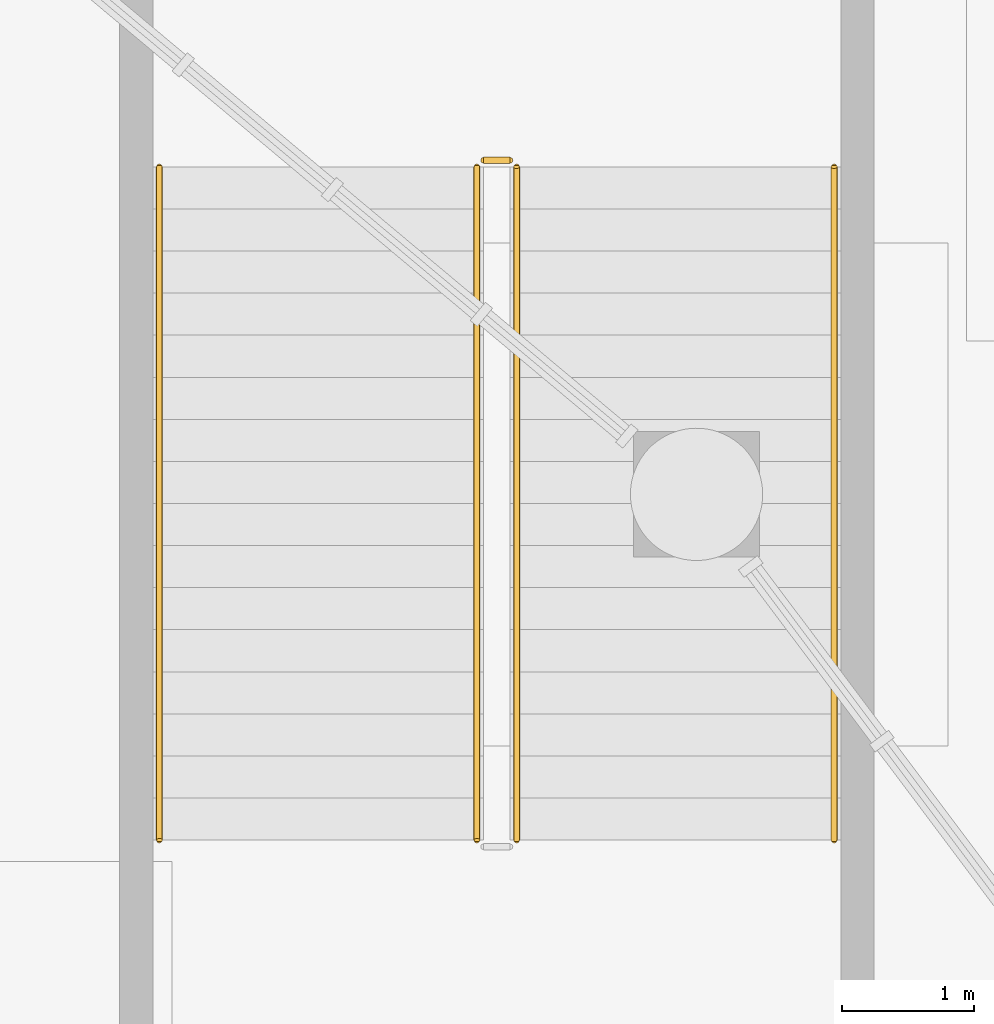
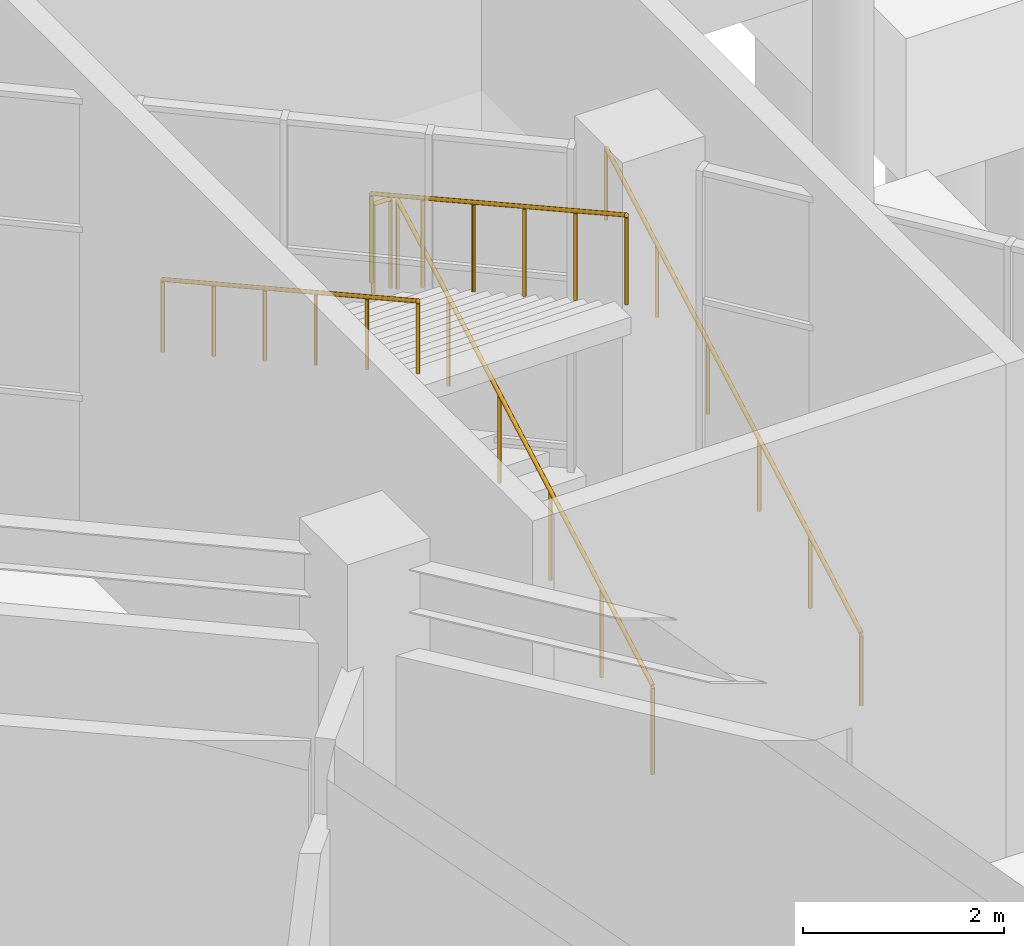
# One storey, part 114 of 121: 5 railings.
"""IFC4 building model written with IfcOpenShell, lengths in metres."""

from ifc_helpers import new_model, si_unit, direction, frame, origin, origin_2d, place, context, subcontext, project, spatial, circle, extrude, material, type_object, element, save


model = new_model("IFC4")

# Units and contexts
model_context = context("Model", 3, precision=1e-05, world=origin(), true_north=direction((0.0, 1.0)))
body_context = subcontext(model_context, "Body", "Model", "MODEL_VIEW")
ifc_project = project(units=[si_unit("LENGTHUNIT", "METRE"), si_unit("AREAUNIT", "SQUARE_METRE"), si_unit("VOLUMEUNIT", "CUBIC_METRE"), si_unit("PLANEANGLEUNIT", "RADIAN"), si_unit("MASSUNIT", "GRAM", prefix="KILO")], contexts=[model_context])

# Site, building, storey
site_placement = place(None, origin())
site = spatial("IfcSite", under=ifc_project, at=site_placement, CompositionType="ELEMENT")
building_placement = place(site_placement, origin())
building = spatial("IfcBuilding", under=site, at=building_placement, Name="Cuetzalor Civic Arena", CompositionType="ELEMENT")
storey_placement = place(building_placement, origin())
storey = spatial("IfcBuildingStorey", under=building, at=storey_placement, Name="L00", CompositionType="ELEMENT", Elevation=0.0)

# Railings
ifc_material_1 = material(Name="Reseda-green architectural Steel S355 balustrade", Category="steel")
railing_type_1 = type_object("IfcRailingType", Name="InteriorVoidBalustrade_1100", PredefinedType="BALUSTRADE", material=ifc_material_1)
railing_1_placement = place(storey_placement, frame((36.949951171875, 22.949951171875, 0.176513671875)))
element("IfcRailing", 1, at=railing_1_placement, inside=storey, type_object=railing_type_1, Name="L00 ST-02 stair guard 1", PredefinedType="BALUSTRADE", context=body_context, shape_type="SweptSolid", body=[
    extrude(circle(Radius=0.02392578125, at=origin_2d()), frame((0.0, 0.0, 1.0810546875), z_axis=(0.0, 0.874394655587, 0.485215401941), x_axis=(-1.0, 0.0, 0.0)), (0.0, 0.0, 1.0), 5.819091796875),
    extrude(circle(Radius=0.02099609375, at=origin_2d()), origin(), (0.0, 0.0, 1.0), 1.056884765625),
    extrude(circle(Radius=0.02099609375, at=origin_2d()), frame((0.0, 1.017578125, 0.564697265625)), (0.0, 0.0, 1.0), 1.056884765625),
    extrude(circle(Radius=0.02099609375, at=origin_2d()), frame((0.0, 2.03515625, 1.12939453125)), (0.0, 0.0, 1.0), 1.056884765625),
    extrude(circle(Radius=0.02099609375, at=origin_2d()), frame((0.0, 3.052978515625, 1.694091796875)), (0.0, 0.0, 1.0), 1.056884765625),
    extrude(circle(Radius=0.02099609375, at=origin_2d()), frame((0.0, 4.070556640625, 2.2587890625)), (0.0, 0.0, 1.0), 1.056884765625),
    extrude(circle(Radius=0.02099609375, at=origin_2d()), frame((0.0, 5.088134765625, 2.823486328125)), (0.0, 0.0, 1.0), 1.056884765625),
])
railing_2_placement = place(storey_placement, frame((36.89990234375, 28.087890625, 3.0)))
element("IfcRailing", 2, at=railing_2_placement, inside=storey, type_object=railing_type_1, Name="L00 ST-02 stair guard 2", PredefinedType="BALUSTRADE", context=body_context, shape_type="SweptSolid", body=[
    extrude(circle(Radius=0.02392578125, at=origin_2d()), frame((0.0, 0.0, 1.0810546875), z_axis=(-1.0, 0.0, 0.0), x_axis=(0.0, -1.0, 0.0)), (0.0, 0.0, 1.0), 0.199951171875),
    extrude(circle(Radius=0.02099609375, at=origin_2d()), origin(), (0.0, 0.0, 1.0), 1.056884765625),
    extrude(circle(Radius=0.02099609375, at=origin_2d()), frame((-0.199951171875, 0.0, 0.0)), (0.0, 0.0, 1.0), 1.056884765625),
])
railing_3_placement = place(storey_placement, frame((36.64990234375, 28.0380859375, 3.176513671875)))
element("IfcRailing", 3, at=railing_3_placement, inside=storey, type_object=railing_type_1, Name="L00 ST-02 stair guard 3", PredefinedType="BALUSTRADE", context=body_context, shape_type="SweptSolid", body=[
    extrude(circle(Radius=0.02392578125, at=origin_2d()), frame((0.0, 0.0, 1.0810546875), z_axis=(0.0, -0.874394655587, 0.485215401941), x_axis=(1.0, 0.0, 0.0)), (0.0, 0.0, 1.0), 5.819091796875),
    extrude(circle(Radius=0.02099609375, at=origin_2d()), origin(), (0.0, 0.0, 1.0), 1.056884765625),
    extrude(circle(Radius=0.02099609375, at=origin_2d()), frame((0.0, -1.017578125, 0.564697265625)), (0.0, 0.0, 1.0), 1.056884765625),
    extrude(circle(Radius=0.02099609375, at=origin_2d()), frame((0.0, -2.03515625, 1.12939453125)), (0.0, 0.0, 1.0), 1.056884765625),
    extrude(circle(Radius=0.02099609375, at=origin_2d()), frame((0.0, -3.052978515625, 1.694091796875)), (0.0, 0.0, 1.0), 1.056884765625),
    extrude(circle(Radius=0.02099609375, at=origin_2d()), frame((0.0, -4.070556640625, 2.2587890625)), (0.0, 0.0, 1.0), 1.056884765625),
    extrude(circle(Radius=0.02099609375, at=origin_2d()), frame((0.0, -5.088134765625, 2.823486328125)), (0.0, 0.0, 1.0), 1.056884765625),
])
ifc_material_2 = material(Name="Galvanised steel S355", Category="steel")
railing_type_2 = type_object("IfcRailingType", Name="StairPitchHandrail_900", PredefinedType="HANDRAIL", material=ifc_material_2)
railing_4_placement = place(storey_placement, frame((39.35009765625, 22.949951171875, 0.176513671875)))
element("IfcRailing", 4, at=railing_4_placement, inside=storey, type_object=railing_type_2, Name="L00 ST-02 stair handrail 1", PredefinedType="HANDRAIL", context=body_context, shape_type="SweptSolid", body=[
    extrude(circle(Radius=0.02392578125, at=origin_2d()), frame((0.0, 0.0, 0.8759765625), z_axis=(0.0, 0.874394655587, 0.485215401941), x_axis=(-1.0, 0.0, 0.0)), (0.0, 0.0, 1.0), 5.819091796875),
    extrude(circle(Radius=0.02099609375, at=origin_2d()), origin(), (0.0, 0.0, 1.0), 0.851806640625),
    extrude(circle(Radius=0.02099609375, at=origin_2d()), frame((0.0, 1.017578125, 0.564697265625)), (0.0, 0.0, 1.0), 0.851806640625),
    extrude(circle(Radius=0.02099609375, at=origin_2d()), frame((0.0, 2.03515625, 1.12939453125)), (0.0, 0.0, 1.0), 0.851806640625),
    extrude(circle(Radius=0.02099609375, at=origin_2d()), frame((0.0, 3.052978515625, 1.694091796875)), (0.0, 0.0, 1.0), 0.851806640625),
    extrude(circle(Radius=0.02099609375, at=origin_2d()), frame((0.0, 4.070556640625, 2.2587890625)), (0.0, 0.0, 1.0), 0.851806640625),
    extrude(circle(Radius=0.02099609375, at=origin_2d()), frame((0.0, 5.088134765625, 2.823486328125)), (0.0, 0.0, 1.0), 0.851806640625),
])
railing_5_placement = place(storey_placement, frame((34.25, 28.0380859375, 3.176513671875)))
element("IfcRailing", 5, at=railing_5_placement, inside=storey, type_object=railing_type_2, Name="L00 ST-02 stair handrail 2", PredefinedType="HANDRAIL", context=body_context, shape_type="SweptSolid", body=[
    extrude(circle(Radius=0.02392578125, at=origin_2d()), frame((0.0, 0.0, 0.8759765625), z_axis=(0.0, -0.874394655587, 0.485215401941), x_axis=(1.0, 0.0, 0.0)), (0.0, 0.0, 1.0), 5.819091796875),
    extrude(circle(Radius=0.02099609375, at=origin_2d()), origin(), (0.0, 0.0, 1.0), 0.851806640625),
    extrude(circle(Radius=0.02099609375, at=origin_2d()), frame((0.0, -1.017578125, 0.564697265625)), (0.0, 0.0, 1.0), 0.851806640625),
    extrude(circle(Radius=0.02099609375, at=origin_2d()), frame((0.0, -2.03515625, 1.12939453125)), (0.0, 0.0, 1.0), 0.851806640625),
    extrude(circle(Radius=0.02099609375, at=origin_2d()), frame((0.0, -3.052978515625, 1.694091796875)), (0.0, 0.0, 1.0), 0.851806640625),
    extrude(circle(Radius=0.02099609375, at=origin_2d()), frame((0.0, -4.070556640625, 2.2587890625)), (0.0, 0.0, 1.0), 0.851806640625),
    extrude(circle(Radius=0.02099609375, at=origin_2d()), frame((0.0, -5.088134765625, 2.823486328125)), (0.0, 0.0, 1.0), 0.851806640625),
])

save(model, "model.ifc")
